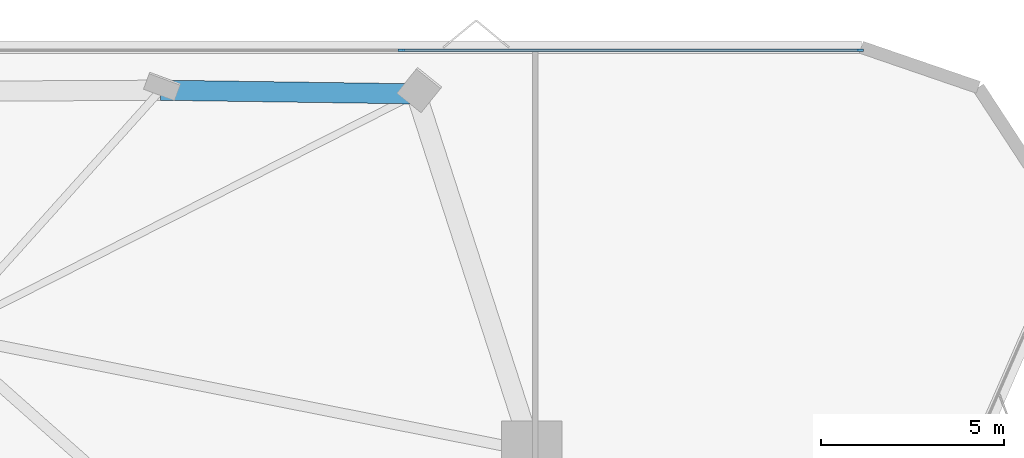
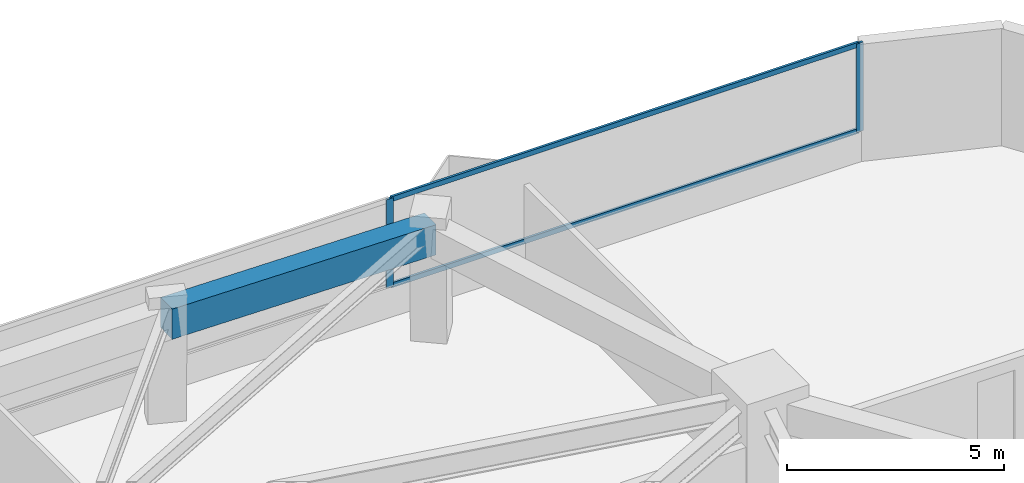
# One storey, part 8 of 14: 4 members, 1 beam, 1 element without a shape of its own.
"""IFC4 building model written with IfcOpenShell, lengths in metres."""

from ifc_helpers import new_model, si_unit, direction, frame, origin, origin_2d, place, context, subcontext, project, spatial, rectangle, extrude, material, layer, layer_set, material_profile, profile_set, type_object, element, aggregate, save


model = new_model("IFC4")

# Units and contexts
model_context = context("Model", 3, precision=1e-05, world=origin(), true_north=direction((0.0, 1.0)))
body_context = subcontext(model_context, "Body", "Model", "MODEL_VIEW")
ifc_project = project(units=[si_unit("LENGTHUNIT", "METRE"), si_unit("AREAUNIT", "SQUARE_METRE"), si_unit("VOLUMEUNIT", "CUBIC_METRE"), si_unit("PLANEANGLEUNIT", "RADIAN"), si_unit("MASSUNIT", "GRAM", prefix="KILO")], contexts=[model_context])

# Site, building, storey
site_placement = place(None, origin())
site = spatial("IfcSite", under=ifc_project, at=site_placement, CompositionType="ELEMENT")
building_placement = place(site_placement, origin())
building = spatial("IfcBuilding", under=site, at=building_placement, Name="Talyreon Biosciences Tower", CompositionType="ELEMENT")
storey_placement = place(building_placement, frame((0.0, 0.0, 115.14990234375)))
storey = spatial("IfcBuildingStorey", under=building, at=storey_placement, Name="L30", CompositionType="ELEMENT", Elevation=115.14990234375)

# Curtain wall, members
ifc_material_1 = material(Name="Thermally broken aluminium and low-E glazing", Category="aluminium")
ifc_layer = layer(ifc_material_1, 0.18994140625)
ifc_layer_set = layer_set([ifc_layer], Name="Thermally broken aluminium and low-E glazing")
curtain_wall_type = type_object("IfcCurtainWallType", Name="CurtainWall_Zone2Genomics", PredefinedType="NOTDEFINED", material=ifc_layer_set)
curtain_wall_placement = place(storey_placement, origin())
curtain_wall = element("IfcCurtainWall", 1, at=curtain_wall_placement, inside=storey, type_object=curtain_wall_type, Name="L30 Unitised Curtain Wall FCW-L30-04", PredefinedType="NOTDEFINED")
ifc_material_2 = material(Name="Anodised thermally broken aluminium", Category="aluminium")
ifc_material_profile_1 = material_profile(ifc_material_2, rectangle(XDim=0.06494140625, YDim=0.179931640625, at=origin_2d()), Name="ALUM MULLION 65x180")
ifc_profile_set_1 = profile_set([ifc_material_profile_1], Name="Anodised thermally broken aluminium")
member_type_1 = type_object("IfcMemberType", Name="CWMullion_65x180", PredefinedType="MULLION", material=ifc_profile_set_1)
member_1_placement = place(storey_placement, frame((78.544189453125, 89.539794921875, 0.81005859375), z_axis=(0.0, 0.0, 1.0), x_axis=(0.0, 1.0, 0.0)))
member_1 = element("IfcMember", 2, at=member_1_placement, type_object=member_type_1, Name="CW3 mullion 4", PredefinedType="MULLION", context=body_context, shape_type="SweptSolid", body=[
    extrude(rectangle(XDim=0.06494140625, YDim=0.179931640625, at=origin_2d()), origin(), (0.0, 0.0, 1.0), 2.489990234375),
])
member_2_placement = place(storey_placement, frame((91.055908203125, 89.539794921875, 0.81005859375), z_axis=(0.0, 0.0, 1.0), x_axis=(0.0, 1.0, 0.0)))
member_2 = element("IfcMember", 3, at=member_2_placement, type_object=member_type_1, Name="CW3 mullion 5", PredefinedType="MULLION", context=body_context, shape_type="SweptSolid", body=[
    extrude(rectangle(XDim=0.06494140625, YDim=0.179931640625, at=origin_2d()), origin(), (0.0, 0.0, 1.0), 2.489990234375),
])
ifc_material_profile_2 = material_profile(ifc_material_2, rectangle(XDim=0.06494140625, YDim=0.139892578125, at=origin_2d()), Name="ALUM TRANSOM 65x140")
ifc_profile_set_2 = profile_set([ifc_material_profile_2], Name="Anodised thermally broken aluminium")
member_type_2 = type_object("IfcMemberType", Name="CWTransom_65x140", PredefinedType="USERDEFINED", material=ifc_profile_set_2)
member_3_placement = place(storey_placement, frame((78.57666015625, 89.539794921875, 0.842529296875), z_axis=(1.0, 0.0, 0.0), x_axis=(0.0, 1.0, 0.0)))
member_3 = element("IfcMember", 4, at=member_3_placement, type_object=member_type_2, Name="CW3 transom 4.1", ObjectType="TRANSOM", PredefinedType="USERDEFINED", context=body_context, shape_type="SweptSolid", body=[
    extrude(rectangle(XDim=0.06494140625, YDim=0.139892578125, at=origin_2d()), origin(), (0.0, 0.0, 1.0), 12.44677734375),
])
member_4_placement = place(storey_placement, frame((78.57666015625, 89.539794921875, 3.267578125), z_axis=(1.0, 0.0, 0.0), x_axis=(0.0, 1.0, 0.0)))
member_4 = element("IfcMember", 5, at=member_4_placement, type_object=member_type_2, Name="CW3 transom 4.2", ObjectType="TRANSOM", PredefinedType="USERDEFINED", context=body_context, shape_type="SweptSolid", body=[
    extrude(rectangle(XDim=0.06494140625, YDim=0.139892578125, at=origin_2d()), origin(), (0.0, 0.0, 1.0), 12.44677734375),
])
aggregate(curtain_wall, [member_1, member_2, member_3, member_4])

# Beam
ifc_material_3 = material(Name="Precast concrete C45/55", Category="concrete")
ifc_material_profile_3 = material_profile(ifc_material_3, rectangle(XDim=0.550048828125, YDim=0.85009765625, at=origin_2d()), Name="RCB 550x850")
ifc_profile_set_3 = profile_set([ifc_material_profile_3], Name="Precast concrete C45/55")
beam_type = type_object("IfcBeamType", Name="ExpressedSpandrel_550x850", PredefinedType="SPANDREL", material=ifc_profile_set_3)
beam_placement = place(storey_placement, frame((78.947998046875, 88.34765625, 2.875), z_axis=(-0.999897452601, 0.01432076402, 0.0), x_axis=(-0.01432076402, -0.999897452601, 0.0)))
element("IfcBeam", 6, at=beam_placement, inside=storey, type_object=beam_type, Name="L30 Expressed Horizontal Concrete Spandrel 06", PredefinedType="SPANDREL", context=body_context, shape_type="SweptSolid", body=[
    extrude(rectangle(XDim=0.550048828125, YDim=0.85009765625, at=origin_2d()), origin(), (0.0, 0.0, 1.0), 6.97265625),
])

save(model, "model.ifc")
